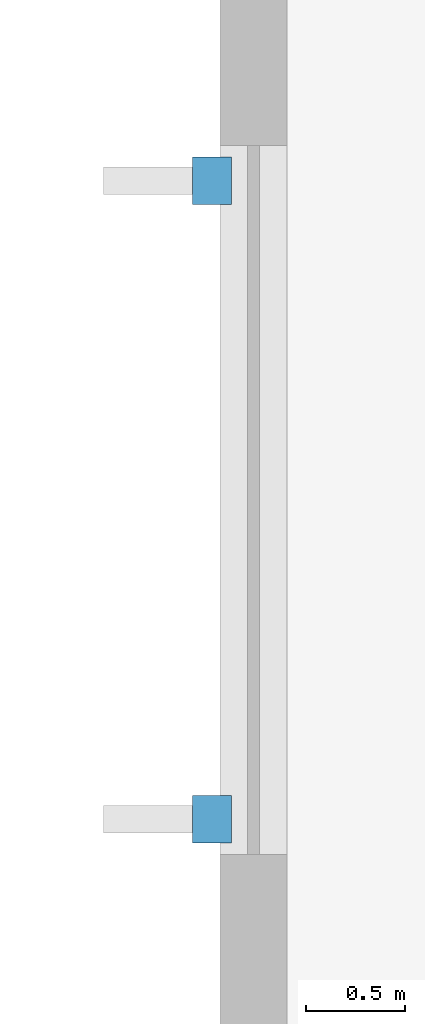
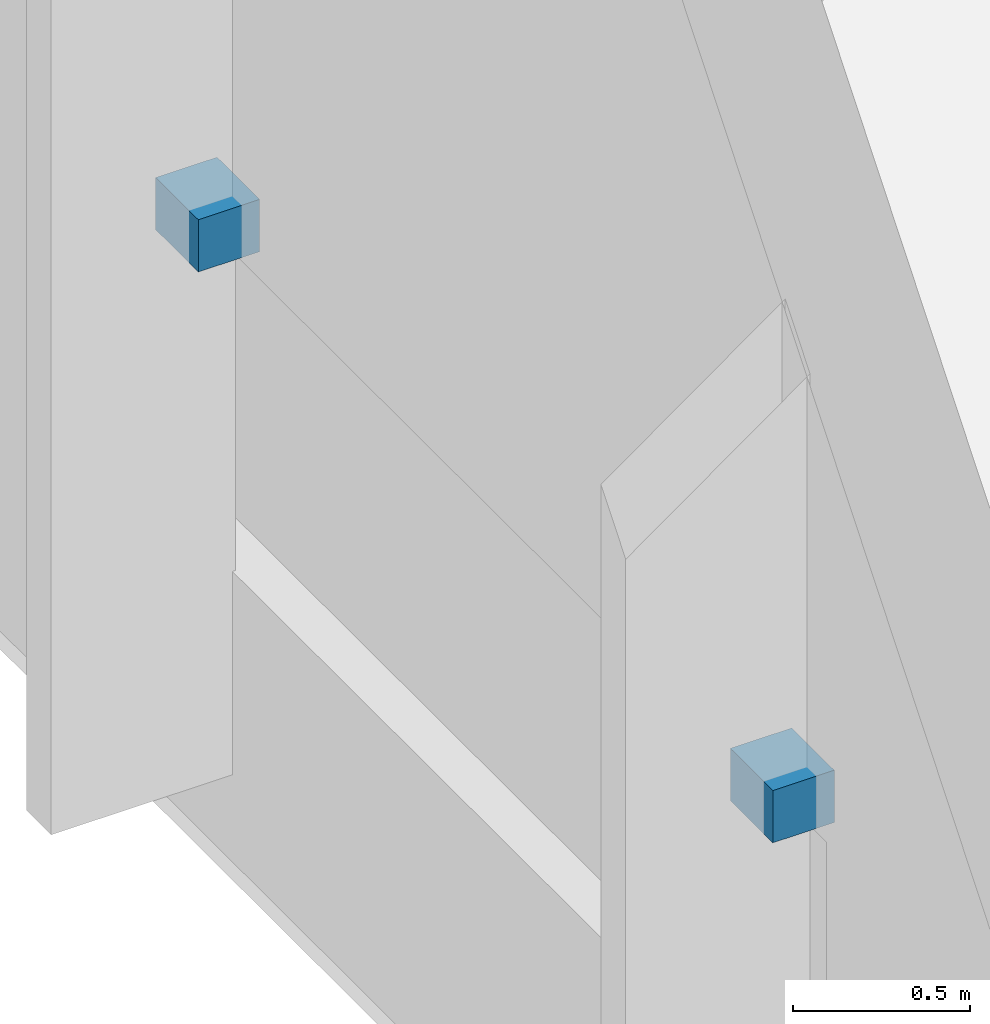
# One storey, part 200 of 223: 2 discrete accessories.
"""IFC4 building model written with IfcOpenShell, lengths in metres."""

from ifc_helpers import new_model, si_unit, direction, frame, origin, origin_2d, place, context, subcontext, project, spatial, rectangle, extrude, material, layer, layer_set, type_object, element, save


model = new_model("IFC4")

# Units and contexts
model_context = context("Model", 3, precision=1e-05, world=origin(), true_north=direction((0.0, 1.0)))
body_context = subcontext(model_context, "Body", "Model", "MODEL_VIEW")
ifc_project = project(units=[si_unit("LENGTHUNIT", "METRE"), si_unit("AREAUNIT", "SQUARE_METRE"), si_unit("VOLUMEUNIT", "CUBIC_METRE"), si_unit("PLANEANGLEUNIT", "RADIAN"), si_unit("MASSUNIT", "GRAM", prefix="KILO")], contexts=[model_context])

# Site, building, storey
site_placement = place(None, origin())
site = spatial("IfcSite", under=ifc_project, at=site_placement, CompositionType="ELEMENT")
building_placement = place(site_placement, origin())
building = spatial("IfcBuilding", under=site, at=building_placement, Name="Dornveld Trade and Exhibition Forum", CompositionType="ELEMENT")
storey_placement = place(building_placement, frame((0.0, 0.0, 6.0)))
storey = spatial("IfcBuildingStorey", under=building, at=storey_placement, Name="L01", CompositionType="ELEMENT", Elevation=6.0)

# Discrete accessories
ifc_material = material(Name="Steel S355J2", Category="steel")
ifc_layer = layer(ifc_material, 0.179931640625)
ifc_layer_set = layer_set([ifc_layer], Name="Steel S355J2")
discrete_accessory_type = type_object("IfcDiscreteAccessoryType", Name="ACC-BRK-STL", PredefinedType="BRACKET", material=ifc_layer_set)
for number, where, z_axis, x_axis, name in (
    (1, (17.7900390625, 132.1201171875, 2.10986328125), (0.0, 0.0, 1.0), (0.0, -1.0, 0.0), "L01 solar fin bracket 95"),
    (2, (17.7900390625, 128.8798828125, 2.10986328125), (0.0, 0.0, 1.0), (0.0, -1.0, 0.0), "L01 solar fin bracket 96"),
):
    element("IfcDiscreteAccessory", number, at=place(storey_placement, frame(where, z_axis=z_axis, x_axis=x_axis)), inside=storey, type_object=discrete_accessory_type, Name=name, PredefinedType="BRACKET", context=body_context, shape_type="SweptSolid", body=[
        extrude(rectangle(XDim=0.239990234375, YDim=0.199951171875, at=origin_2d()), origin(), (0.0, 0.0, 1.0), 0.179931640625),
    ])

save(model, "model.ifc")
